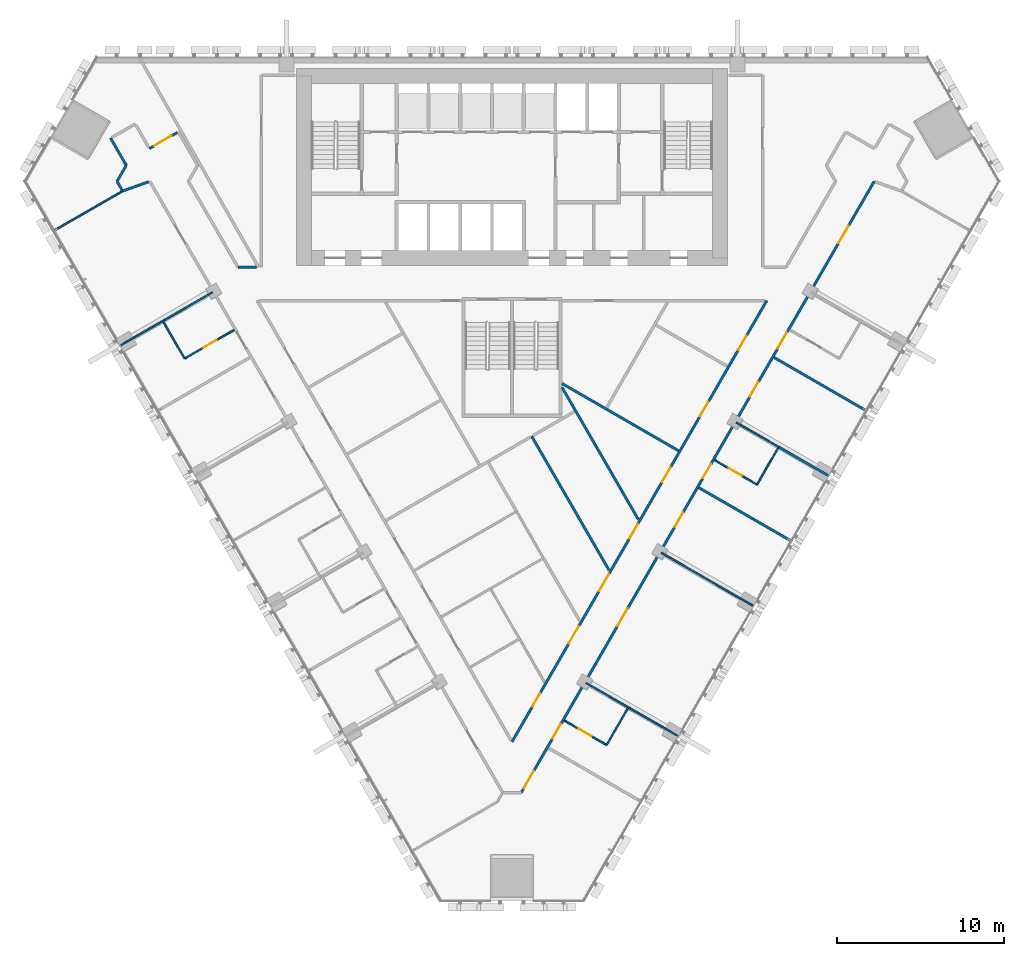
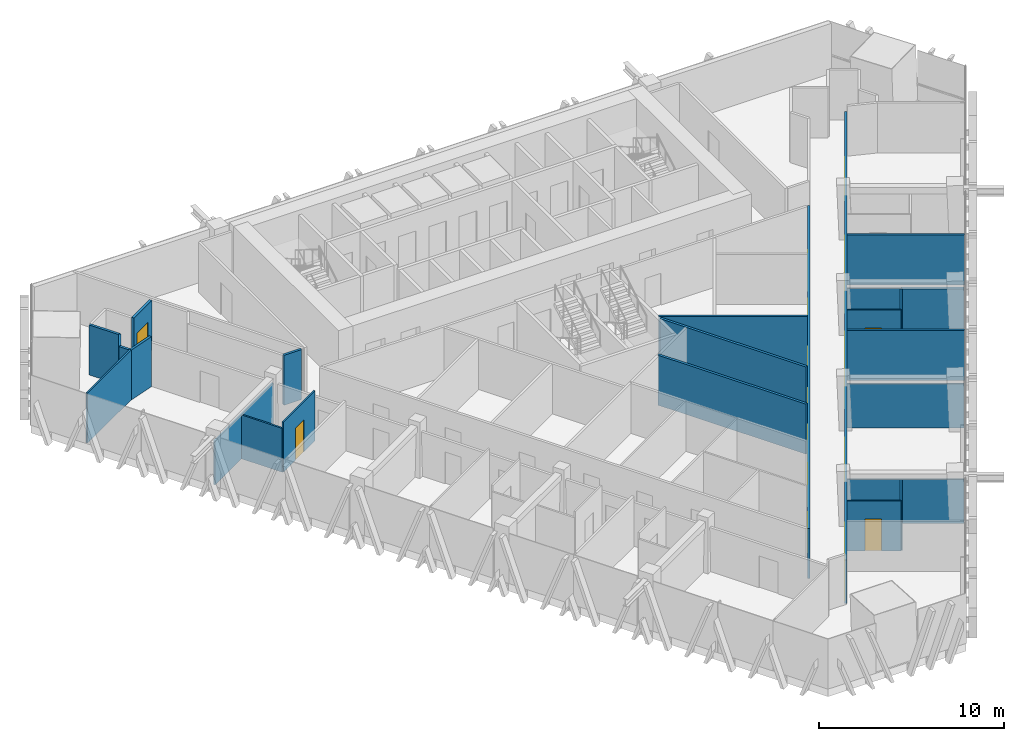
# One storey, part 9 of 15: 25 walls, 19 doors, 19 openings.
"""IFC4 building model written with IfcOpenShell, lengths in metres."""

from ifc_helpers import new_model, si_unit, direction, frame, frame_2d, origin, place, context, subcontext, project, spatial, rectangle, extrude, material, layer, layer_set, type_object, element, fill, save


model = new_model("IFC4")

# Units and contexts
model_context = context("Model", 3, precision=1e-05, world=origin(), true_north=direction((0.0, 1.0)))
body_context = subcontext(model_context, "Body", "Model", "MODEL_VIEW")
ifc_project = project(units=[si_unit("LENGTHUNIT", "METRE"), si_unit("AREAUNIT", "SQUARE_METRE"), si_unit("VOLUMEUNIT", "CUBIC_METRE"), si_unit("PLANEANGLEUNIT", "RADIAN"), si_unit("MASSUNIT", "GRAM", prefix="KILO")], contexts=[model_context])

# Site, building, storey
site_placement = place(None, origin())
site = spatial("IfcSite", under=ifc_project, at=site_placement, CompositionType="ELEMENT")
building_placement = place(site_placement, origin())
building = spatial("IfcBuilding", under=site, at=building_placement, Name="Altiplano Prism Tower", CompositionType="ELEMENT")
storey_placement = place(building_placement, frame((0.0, 0.0, 91.800048828125)))
storey = spatial("IfcBuildingStorey", under=building, at=storey_placement, Name="L23", CompositionType="ELEMENT", Elevation=91.800048828125)

# Wall, opening, door
ifc_material_1 = material(Name="Plasterboard on steel stud", Category="steel")
ifc_layer_1 = layer(ifc_material_1, 0.10009765625)
ifc_layer_set_1 = layer_set([ifc_layer_1], Name="Plasterboard on steel stud")
wall_type_1 = type_object("IfcWallType", Name="Partition 100 unit", PredefinedType="PARTITIONING", material=ifc_layer_set_1)
wall_1_placement = place(storey_placement, frame((68.367431640625, 88.64599609375, 0.0), z_axis=(0.0, 0.0, 1.0), x_axis=(-0.866032454348, -0.499987787867, 0.0)))
wall_1 = element("IfcWall", 1, at=wall_1_placement, inside=storey, type_object=wall_type_1, Name="Partition P02 L23 043", PredefinedType="PARTITIONING", context=body_context, shape_type="SweptSolid", body=[
    extrude(rectangle(XDim=3.4248046875, YDim=0.10009765625, at=frame_2d((1.71240234375, 0.0))), origin(), (0.0, 0.0, 1.0), 3.300048828125),
])
opening_1_placement = place(wall_1_placement, frame((1.22509765625, 0.0, 0.0)))
opening_1 = element("IfcOpeningElement", 2, at=opening_1_placement, cuts=wall_1, Name="Opening D0854", PredefinedType="OPENING", context=body_context, shape_type="SweptSolid", body=[
    extrude(rectangle(XDim=0.89990234375, YDim=2.10009765625, at=frame_2d((0.449951171875, 1.050048828125))), frame((0.0, 0.060546875, 0.0), z_axis=(0.0, -1.0, 0.0), x_axis=(1.0, 0.0, 0.0)), (0.0, 0.0, 1.0), 0.12109375),
])
ifc_material_2 = material(Name="Timber", Category="wood")
door_type_1 = type_object("IfcDoorType", Name="Accessible ensuite door 900 x 2100", OperationType="NOTDEFINED", PredefinedType="NOTDEFINED", material=ifc_material_2)
door_1_placement = place(opening_1_placement, origin())
door_1 = element("IfcDoor", 3, at=door_1_placement, inside=storey, type_object=door_type_1, Name="Door D0854", OperationType="SINGLE_SWING_RIGHT", OverallHeight=2.10009765625, OverallWidth=0.89990234375, PredefinedType="NOTDEFINED", context=body_context, shape_type="SweptSolid", body=[
    extrude(rectangle(XDim=0.89990234375, YDim=2.10009765625, at=frame_2d((0.449951171875, 1.050048828125))), frame((0.0, 0.02490234375, 0.0), z_axis=(0.0, -1.0, 0.0), x_axis=(1.0, 0.0, 0.0)), (0.0, 0.0, 1.0), 0.050048828125),
])
fill(opening_1, door_1)

# Walls
wall_2_placement = place(storey_placement, frame((65.4013671875, 86.93359375, 0.0), z_axis=(0.0, 0.0, 1.0), x_axis=(-0.499990435942, 0.866030925526, 0.0)))
element("IfcWall", 4, at=wall_2_placement, inside=storey, type_object=wall_type_1, Name="Partition P02 L23 044", PredefinedType="PARTITIONING", context=body_context, shape_type="SweptSolid", body=[
    extrude(rectangle(XDim=2.5498046875, YDim=0.10009765625, at=frame_2d((1.27490234375, 0.0))), origin(), (0.0, 0.0, 1.0), 2.89990234375),
])
wall_3_placement = place(storey_placement, frame((91.940673828125, 66.00927734375, 0.0), z_axis=(0.0, 0.0, 1.0), x_axis=(-0.500020783669, -0.866013403995, 0.0)))
element("IfcWall", 5, at=wall_3_placement, inside=storey, type_object=wall_type_1, Name="Partition P02 L23 061", PredefinedType="PARTITIONING", context=body_context, shape_type="SweptSolid", body=[
    extrude(rectangle(XDim=2.55029296875, YDim=0.10009765625, at=frame_2d((1.275146484375, 0.0))), origin(), (0.0, 0.0, 1.0), 2.89990234375),
])

# Wall, opening, door
wall_4_placement = place(storey_placement, frame((90.66552734375, 63.80078125, 0.0), z_axis=(0.0, 0.0, 1.0), x_axis=(-0.865989585315, 0.500062034277, 0.0)))
wall_4 = element("IfcWall", 6, at=wall_4_placement, inside=storey, type_object=wall_type_1, Name="Partition P02 L23 062", PredefinedType="PARTITIONING", context=body_context, shape_type="SweptSolid", body=[
    extrude(rectangle(XDim=2.925048828125, YDim=0.10009765625, at=frame_2d((1.46240234375, 0.0))), origin(), (0.0, 0.0, 1.0), 3.300048828125),
])
opening_2_placement = place(wall_4_placement, frame((1.050048828125, 0.0, 0.0)))
opening_2 = element("IfcOpeningElement", 7, at=opening_2_placement, cuts=wall_4, Name="Opening D0866", PredefinedType="OPENING", context=body_context, shape_type="SweptSolid", body=[
    extrude(rectangle(XDim=0.89990234375, YDim=2.10009765625, at=frame_2d((0.449951171875, 1.050048828125))), frame((0.0, 0.060546875, 0.0), z_axis=(0.0, -1.0, 0.0), x_axis=(1.0, 0.0, 0.0)), (0.0, 0.0, 1.0), 0.12109375),
])
door_type_2 = type_object("IfcDoorType", Name="Ensuite door 900 x 2100", OperationType="NOTDEFINED", PredefinedType="NOTDEFINED", material=ifc_material_2)
door_2_placement = place(opening_2_placement, origin())
door_2 = element("IfcDoor", 8, at=door_2_placement, inside=storey, type_object=door_type_2, Name="Door D0866", OperationType="SINGLE_SWING_RIGHT", OverallHeight=2.10009765625, OverallWidth=0.89990234375, PredefinedType="NOTDEFINED", context=body_context, shape_type="SweptSolid", body=[
    extrude(rectangle(XDim=0.89990234375, YDim=2.10009765625, at=frame_2d((0.449951171875, 1.050048828125))), frame((0.0, 0.02490234375, 0.0), z_axis=(0.0, -1.0, 0.0), x_axis=(1.0, 0.0, 0.0)), (0.0, 0.0, 1.0), 0.050048828125),
])
fill(opening_2, door_2)

# Wall
wall_5_placement = place(storey_placement, frame((100.92822265625, 81.575927734375, 0.0), z_axis=(0.0, 0.0, 1.0), x_axis=(-0.500048846702, -0.865997200291, 0.0)))
element("IfcWall", 9, at=wall_5_placement, inside=storey, type_object=wall_type_1, Name="Partition P02 L23 066", PredefinedType="PARTITIONING", context=body_context, shape_type="SweptSolid", body=[
    extrude(rectangle(XDim=2.525146484375, YDim=0.10009765625, at=frame_2d((1.2626953125, 0.0))), origin(), (0.0, 0.0, 1.0), 2.89990234375),
])

# Wall, opening, door
wall_6_placement = place(storey_placement, frame((99.66552734375, 79.38916015625, 0.0), z_axis=(0.0, 0.0, 1.0), x_axis=(-0.865989585315, 0.500062034277, 0.0)))
wall_6 = element("IfcWall", 10, at=wall_6_placement, inside=storey, type_object=wall_type_1, Name="Partition P02 L23 067", PredefinedType="PARTITIONING", context=body_context, shape_type="SweptSolid", body=[
    extrude(rectangle(XDim=2.925048828125, YDim=0.10009765625, at=frame_2d((1.46240234375, 0.0))), origin(), (0.0, 0.0, 1.0), 3.300048828125),
])
opening_3_placement = place(wall_6_placement, frame((1.050048828125, 0.0, 0.0)))
opening_3 = element("IfcOpeningElement", 11, at=opening_3_placement, cuts=wall_6, Name="Opening D0870", PredefinedType="OPENING", context=body_context, shape_type="SweptSolid", body=[
    extrude(rectangle(XDim=0.89990234375, YDim=2.10009765625, at=frame_2d((0.449951171875, 1.050048828125))), frame((0.0, 0.060546875, 0.0), z_axis=(0.0, -1.0, 0.0), x_axis=(1.0, 0.0, 0.0)), (0.0, 0.0, 1.0), 0.12109375),
])
door_3_placement = place(opening_3_placement, origin())
door_3 = element("IfcDoor", 12, at=door_3_placement, inside=storey, type_object=door_type_2, Name="Door D0870", OperationType="SINGLE_SWING_RIGHT", OverallHeight=2.10009765625, OverallWidth=0.89990234375, PredefinedType="NOTDEFINED", context=body_context, shape_type="SweptSolid", body=[
    extrude(rectangle(XDim=0.89990234375, YDim=2.10009765625, at=frame_2d((0.449951171875, 1.050048828125))), frame((0.0, 0.02490234375, 0.0), z_axis=(0.0, -1.0, 0.0), x_axis=(1.0, 0.0, 0.0)), (0.0, 0.0, 1.0), 0.050048828125),
])
fill(opening_3, door_3)

# Walls
ifc_layer_2 = layer(ifc_material_1, 0.10009765625)
ifc_layer_set_2 = layer_set([ifc_layer_2], Name="Plasterboard on steel stud")
wall_type_2 = type_object("IfcWallType", Name="Partition 100 wet", PredefinedType="PARTITIONING", material=ifc_layer_set_2)
wall_7_placement = place(storey_placement, frame((57.6025390625, 94.600830078125, 0.0), z_axis=(0.0, 0.0, 1.0), x_axis=(0.866028828302, 0.499994068514, 0.0)))
element("IfcWall", 13, at=wall_7_placement, inside=storey, type_object=wall_type_2, Name="Partition P03 L23 040", PredefinedType="PARTITIONING", context=body_context, shape_type="SweptSolid", body=[
    extrude(rectangle(XDim=4.72021484375, YDim=0.10009765625, at=frame_2d((2.360107421875, 0.0))), origin(), (0.0, 0.0, 1.0), 3.300048828125),
])
for number, where, z_axis, x_axis, name in (
    (14, (61.58984375, 87.735107421875, 0.0), (0.0, 0.0, 1.0), (0.866015887322, 0.500016482634, 0.0), "Partition P03 L23 042"),
    (15, (94.91015625, 64.3525390625, 0.0), (0.0, 0.0, 1.0), (-0.866032601554, 0.49998753289, 0.0), "Partition P03 L23 063"),
    (16, (99.41015625, 72.146728515625, 0.0), (0.0, 0.0, 1.0), (-0.866032601554, 0.49998753289, 0.0), "Partition P03 L23 064"),
):
    element("IfcWall", number, at=place(storey_placement, frame(where, z_axis=z_axis, x_axis=x_axis)), inside=storey, type_object=wall_type_2, Name=name, PredefinedType="PARTITIONING", context=body_context, shape_type="SweptSolid", body=[
        extrude(rectangle(XDim=6.324951171875, YDim=0.10009765625, at=frame_2d((3.16259765625, 0.0))), origin(), (0.0, 0.0, 1.0), 2.89990234375),
    ])
wall_8_placement = place(storey_placement, frame((100.98291015625, 81.630859375, 0.0), z_axis=(0.0, 0.0, 1.0), x_axis=(-0.865989536871, 0.50006211817, 0.0)))
element("IfcWall", 17, at=wall_8_placement, inside=storey, type_object=wall_type_2, Name="Partition P03 L23 069", PredefinedType="PARTITIONING", context=body_context, shape_type="SweptSolid", body=[
    extrude(rectangle(XDim=2.945068359375, YDim=0.10009765625, at=frame_2d((1.47265625, 0.0))), origin(), (0.0, 0.0, 1.0), 2.89990234375),
])

# Wall, openings, doors
ifc_layer_3 = layer(ifc_material_1, 0.14990234375)
ifc_layer_set_3 = layer_set([ifc_layer_3], Name="Plasterboard on steel stud")
wall_type_3 = type_object("IfcWallType", Name="Partition 150 corridor", PredefinedType="PARTITIONING", material=ifc_layer_set_3)
wall_9_placement = place(storey_placement, frame((100.249267578125, 90.39990234375, 0.0), z_axis=(0.0, 0.0, 1.0), x_axis=(-0.500002168127, -0.866024152012, 0.0)))
wall_9 = element("IfcWall", 18, at=wall_9_placement, inside=storey, type_object=wall_type_3, Name="Partition P06 L23 002", PredefinedType="PARTITIONING", context=body_context, shape_type="SweptSolid", body=[
    extrude(rectangle(XDim=30.498291015625, YDim=0.14990234375, at=frame_2d((15.2490234375, 0.0))), origin(), (0.0, 0.0, 1.0), 3.300048828125),
])
opening_4_placement = place(wall_9_placement, frame((27.156982421875, 0.0, 0.0)))
opening_4 = element("IfcOpeningElement", 19, at=opening_4_placement, cuts=wall_9, Name="Opening D0848", PredefinedType="OPENING", context=body_context, shape_type="SweptSolid", body=[
    extrude(rectangle(XDim=0.89990234375, YDim=2.10009765625, at=frame_2d((0.449951171875, 1.050048828125))), frame((0.0, 0.08544921875, 0.0), z_axis=(0.0, -1.0, 0.0), x_axis=(1.0, 0.0, 0.0)), (0.0, 0.0, 1.0), 0.1708984375),
])
opening_5_placement = place(wall_9_placement, frame((2.412109375, 0.0, 0.0)))
opening_5 = element("IfcOpeningElement", 20, at=opening_5_placement, cuts=wall_9, Name="Opening D0849", PredefinedType="OPENING", context=body_context, shape_type="SweptSolid", body=[
    extrude(rectangle(XDim=1.0, YDim=2.10009765625, at=frame_2d((0.5, 1.050048828125))), frame((0.0, 0.08544921875, 0.0), z_axis=(0.0, -1.0, 0.0), x_axis=(1.0, 0.0, 0.0)), (0.0, 0.0, 1.0), 0.1708984375),
])
opening_6_placement = place(wall_9_placement, frame((11.532958984375, 0.0, 0.0)))
opening_6 = element("IfcOpeningElement", 21, at=opening_6_placement, cuts=wall_9, Name="Opening D0850", PredefinedType="OPENING", context=body_context, shape_type="SweptSolid", body=[
    extrude(rectangle(XDim=1.0, YDim=2.10009765625, at=frame_2d((0.5, 1.050048828125))), frame((0.0, 0.08544921875, 0.0), z_axis=(0.0, -1.0, 0.0), x_axis=(1.0, 0.0, 0.0)), (0.0, 0.0, 1.0), 0.1708984375),
])
opening_7_placement = place(wall_9_placement, frame((18.889892578125, 0.0, 0.0)))
opening_7 = element("IfcOpeningElement", 22, at=opening_7_placement, cuts=wall_9, Name="Opening D0877", PredefinedType="OPENING", context=body_context, shape_type="SweptSolid", body=[
    extrude(rectangle(XDim=1.199951171875, YDim=2.10009765625, at=frame_2d((0.60009765625, 1.050048828125))), frame((0.0, 0.08544921875, 0.0), z_axis=(0.0, -1.0, 0.0), x_axis=(1.0, 0.0, 0.0)), (0.0, 0.0, 1.0), 0.1708984375),
])
opening_8_placement = place(wall_9_placement, frame((7.0029296875, 0.0, 0.0)))
opening_8 = element("IfcOpeningElement", 23, at=opening_8_placement, cuts=wall_9, Name="Opening D0880", PredefinedType="OPENING", context=body_context, shape_type="SweptSolid", body=[
    extrude(rectangle(XDim=1.0, YDim=2.10009765625, at=frame_2d((0.5, 1.050048828125))), frame((0.0, 0.08544921875, 0.0), z_axis=(0.0, -1.0, 0.0), x_axis=(1.0, 0.0, 0.0)), (0.0, 0.0, 1.0), 0.1708984375),
])
opening_9_placement = place(wall_9_placement, frame((15.429931640625, 0.0, 0.0)))
opening_9 = element("IfcOpeningElement", 24, at=opening_9_placement, cuts=wall_9, Name="Opening D0884", PredefinedType="OPENING", context=body_context, shape_type="SweptSolid", body=[
    extrude(rectangle(XDim=1.0, YDim=2.10009765625, at=frame_2d((0.5, 1.050048828125))), frame((0.0, 0.08544921875, 0.0), z_axis=(0.0, -1.0, 0.0), x_axis=(1.0, 0.0, 0.0)), (0.0, 0.0, 1.0), 0.1708984375),
])
opening_10_placement = place(wall_9_placement, frame((22.511962890625, 0.0, 0.0)))
opening_10 = element("IfcOpeningElement", 25, at=opening_10_placement, cuts=wall_9, Name="Opening D0887", PredefinedType="OPENING", context=body_context, shape_type="SweptSolid", body=[
    extrude(rectangle(XDim=1.199951171875, YDim=2.10009765625, at=frame_2d((0.60009765625, 1.050048828125))), frame((0.0, 0.08544921875, 0.0), z_axis=(0.0, -1.0, 0.0), x_axis=(1.0, 0.0, 0.0)), (0.0, 0.0, 1.0), 0.1708984375),
])
door_type_3 = type_object("IfcDoorType", Name="Room door 1000 x 2100", OperationType="NOTDEFINED", PredefinedType="NOTDEFINED", material=ifc_material_2)
door_4_placement = place(opening_9_placement, origin())
door_4 = element("IfcDoor", 26, at=door_4_placement, inside=storey, type_object=door_type_3, Name="Door D0884", OperationType="SINGLE_SWING_RIGHT", OverallHeight=2.10009765625, OverallWidth=1.0, PredefinedType="NOTDEFINED", context=body_context, shape_type="SweptSolid", body=[
    extrude(rectangle(XDim=1.0, YDim=2.10009765625, at=frame_2d((0.5, 1.050048828125))), frame((0.0, 0.02490234375, 0.0), z_axis=(0.0, -1.0, 0.0), x_axis=(1.0, 0.0, 0.0)), (0.0, 0.0, 1.0), 0.050048828125),
])
fill(opening_9, door_4)
door_type_4 = type_object("IfcDoorType", Name="Shared room door 1200 x 2100", OperationType="NOTDEFINED", PredefinedType="NOTDEFINED", material=ifc_material_2)
door_5_placement = place(opening_7_placement, origin())
door_5 = element("IfcDoor", 27, at=door_5_placement, inside=storey, type_object=door_type_4, Name="Door D0877", OperationType="SINGLE_SWING_LEFT", OverallHeight=2.10009765625, OverallWidth=1.199951171875, PredefinedType="NOTDEFINED", context=body_context, shape_type="SweptSolid", body=[
    extrude(rectangle(XDim=1.199951171875, YDim=2.10009765625, at=frame_2d((0.60009765625, 1.050048828125))), frame((0.0, 0.02490234375, 0.0), z_axis=(0.0, -1.0, 0.0), x_axis=(1.0, 0.0, 0.0)), (0.0, 0.0, 1.0), 0.050048828125),
])
fill(opening_7, door_5)
door_6_placement = place(opening_10_placement, origin())
door_6 = element("IfcDoor", 28, at=door_6_placement, inside=storey, type_object=door_type_4, Name="Door D0887", OperationType="SINGLE_SWING_RIGHT", OverallHeight=2.10009765625, OverallWidth=1.199951171875, PredefinedType="NOTDEFINED", context=body_context, shape_type="SweptSolid", body=[
    extrude(rectangle(XDim=1.199951171875, YDim=2.10009765625, at=frame_2d((0.60009765625, 1.050048828125))), frame((0.0, 0.02490234375, 0.0), z_axis=(0.0, -1.0, 0.0), x_axis=(1.0, 0.0, 0.0)), (0.0, 0.0, 1.0), 0.050048828125),
])
fill(opening_10, door_6)
door_type_5 = type_object("IfcDoorType", Name="Store door 1000 x 2100", OperationType="NOTDEFINED", PredefinedType="NOTDEFINED", material=ifc_material_2)
door_7_placement = place(opening_5_placement, origin())
door_7 = element("IfcDoor", 29, at=door_7_placement, inside=storey, type_object=door_type_5, Name="Door D0849", OperationType="SINGLE_SWING_LEFT", OverallHeight=2.10009765625, OverallWidth=1.0, PredefinedType="NOTDEFINED", context=body_context, shape_type="SweptSolid", body=[
    extrude(rectangle(XDim=1.0, YDim=2.10009765625, at=frame_2d((0.5, 1.050048828125))), frame((0.0, 0.02490234375, 0.0), z_axis=(0.0, -1.0, 0.0), x_axis=(1.0, 0.0, 0.0)), (0.0, 0.0, 1.0), 0.050048828125),
])
fill(opening_5, door_7)
door_8_placement = place(opening_6_placement, origin())
door_8 = element("IfcDoor", 30, at=door_8_placement, inside=storey, type_object=door_type_5, Name="Door D0850", OperationType="SINGLE_SWING_RIGHT", OverallHeight=2.10009765625, OverallWidth=1.0, PredefinedType="NOTDEFINED", context=body_context, shape_type="SweptSolid", body=[
    extrude(rectangle(XDim=1.0, YDim=2.10009765625, at=frame_2d((0.5, 1.050048828125))), frame((0.0, 0.02490234375, 0.0), z_axis=(0.0, -1.0, 0.0), x_axis=(1.0, 0.0, 0.0)), (0.0, 0.0, 1.0), 0.050048828125),
])
fill(opening_6, door_8)
door_9_placement = place(opening_8_placement, origin())
door_9 = element("IfcDoor", 31, at=door_9_placement, inside=storey, type_object=door_type_5, Name="Door D0880", OperationType="SINGLE_SWING_RIGHT", OverallHeight=2.10009765625, OverallWidth=1.0, PredefinedType="NOTDEFINED", context=body_context, shape_type="SweptSolid", body=[
    extrude(rectangle(XDim=1.0, YDim=2.10009765625, at=frame_2d((0.5, 1.050048828125))), frame((0.0, 0.02490234375, 0.0), z_axis=(0.0, -1.0, 0.0), x_axis=(1.0, 0.0, 0.0)), (0.0, 0.0, 1.0), 0.050048828125),
])
fill(opening_8, door_9)
door_type_6 = type_object("IfcDoorType", Name="Toilet door 900 x 2100", OperationType="NOTDEFINED", PredefinedType="NOTDEFINED", material=ifc_material_2)
door_10_placement = place(opening_4_placement, origin())
door_10 = element("IfcDoor", 32, at=door_10_placement, inside=storey, type_object=door_type_6, Name="Door D0848", OperationType="SINGLE_SWING_RIGHT", OverallHeight=2.10009765625, OverallWidth=0.89990234375, PredefinedType="NOTDEFINED", context=body_context, shape_type="SweptSolid", body=[
    extrude(rectangle(XDim=0.89990234375, YDim=2.10009765625, at=frame_2d((0.449951171875, 1.050048828125))), frame((0.0, 0.02490234375, 0.0), z_axis=(0.0, -1.0, 0.0), x_axis=(1.0, 0.0, 0.0)), (0.0, 0.0, 1.0), 0.050048828125),
])
fill(opening_4, door_10)

# Wall
wall_10_placement = place(storey_placement, frame((69.700439453125, 92.40087890625, 0.0), z_axis=(0.0, 0.0, 1.0), x_axis=(-0.999999608946, -0.000884368436, 0.0)))
element("IfcWall", 33, at=wall_10_placement, inside=storey, type_object=wall_type_3, Name="Partition P06 L23 003", PredefinedType="PARTITIONING", context=body_context, shape_type="SweptSolid", body=[
    extrude(rectangle(XDim=1.104248046875, YDim=0.14990234375, at=frame_2d((0.55224609375, 0.0))), origin(), (0.0, 0.0, 1.0), 3.300048828125),
])

# Wall, opening, door
wall_11_placement = place(storey_placement, frame((64.963623046875, 100.46240234375, 0.0), z_axis=(0.0, 0.0, 1.0), x_axis=(-0.866033512162, -0.499985955615, 0.0)))
wall_11 = element("IfcWall", 34, at=wall_11_placement, inside=storey, type_object=wall_type_3, Name="Partition P06 L23 007", PredefinedType="PARTITIONING", context=body_context, shape_type="SweptSolid", body=[
    extrude(rectangle(XDim=1.9248046875, YDim=0.14990234375, at=frame_2d((0.96240234375, 0.0))), origin(), (0.0, 0.0, 1.0), 3.300048828125),
])
opening_11_placement = place(wall_11_placement, frame((0.39404296875, 0.0, 0.0)))
opening_11 = element("IfcOpeningElement", 35, at=opening_11_placement, cuts=wall_11, Name="Opening D0851", PredefinedType="OPENING", context=body_context, shape_type="SweptSolid", body=[
    extrude(rectangle(XDim=1.199951171875, YDim=2.10009765625, at=frame_2d((0.60009765625, 1.050048828125))), frame((0.0, 0.08544921875, 0.0), z_axis=(0.0, -1.0, 0.0), x_axis=(1.0, 0.0, 0.0)), (0.0, 0.0, 1.0), 0.1708984375),
])
door_11_placement = place(opening_11_placement, origin())
door_11 = element("IfcDoor", 36, at=door_11_placement, inside=storey, type_object=door_type_4, Name="Door D0851", OperationType="SINGLE_SWING_RIGHT", OverallHeight=2.10009765625, OverallWidth=1.199951171875, PredefinedType="NOTDEFINED", context=body_context, shape_type="SweptSolid", body=[
    extrude(rectangle(XDim=1.199951171875, YDim=2.10009765625, at=frame_2d((0.60009765625, 1.050048828125))), frame((0.0, 0.02490234375, 0.0), z_axis=(0.0, -1.0, 0.0), x_axis=(1.0, 0.0, 0.0)), (0.0, 0.0, 1.0), 0.050048828125),
])
fill(opening_11, door_11)

# Walls
wall_12_placement = place(storey_placement, frame((60.974365234375, 100.122314453125, 0.0), z_axis=(0.0, 0.0, 1.0), x_axis=(0.499951854219, -0.86605319898, 0.0)))
element("IfcWall", 37, at=wall_12_placement, inside=storey, type_object=wall_type_3, Name="Partition P06 L23 010", PredefinedType="PARTITIONING", context=body_context, shape_type="SweptSolid", body=[
    extrude(rectangle(XDim=1.873291015625, YDim=0.14990234375, at=frame_2d((0.9365234375, 0.0))), origin(), (0.0, 0.0, 1.0), 3.300048828125),
])
wall_13_placement = place(storey_placement, frame((61.910888671875, 98.5, 0.0), z_axis=(0.0, 0.0, 1.0), x_axis=(-0.499951133605, -0.866053614973, 0.0)))
element("IfcWall", 38, at=wall_13_placement, inside=storey, type_object=wall_type_3, Name="Partition P06 L23 011", PredefinedType="PARTITIONING", context=body_context, shape_type="SweptSolid", body=[
    extrude(rectangle(XDim=1.10888671875, YDim=0.14990234375, at=frame_2d((0.554443359375, 0.0))), origin(), (0.0, 0.0, 1.0), 3.300048828125),
])
wall_14_placement = place(storey_placement, frame((61.3564453125, 97.53955078125, 0.0), z_axis=(0.0, 0.0, 1.0), x_axis=(0.499983247966, -0.86603507536, 0.0)))
element("IfcWall", 39, at=wall_14_placement, inside=storey, type_object=wall_type_3, Name="Partition P06 L23 012", PredefinedType="PARTITIONING", context=body_context, shape_type="SweptSolid", body=[
    extrude(rectangle(XDim=0.59423828125, YDim=0.14990234375, at=frame_2d((0.297119140625, 0.0))), origin(), (0.0, 0.0, 1.0), 3.300048828125),
])
wall_15_placement = place(storey_placement, frame((61.6904296875, 96.9609375, 0.0), z_axis=(0.0, 0.0, 1.0), x_axis=(0.942304690634, 0.334756433858, 0.0)))
element("IfcWall", 40, at=wall_15_placement, inside=storey, type_object=wall_type_3, Name="Partition P06 L23 013", PredefinedType="PARTITIONING", context=body_context, shape_type="SweptSolid", body=[
    extrude(rectangle(XDim=1.65478515625, YDim=0.14990234375, at=frame_2d((0.827392578125, 0.0))), origin(), (0.0, 0.0, 1.0), 3.300048828125),
])

# Wall, openings, doors
wall_16_placement = place(storey_placement, frame((85.554443359375, 60.947998046875, 0.0), z_axis=(0.0, 0.0, 1.0), x_axis=(0.500001382442, 0.86602460563, 0.0)))
wall_16 = element("IfcWall", 41, at=wall_16_placement, inside=storey, type_object=wall_type_3, Name="Partition P06 L23 016", PredefinedType="PARTITIONING", context=body_context, shape_type="SweptSolid", body=[
    extrude(rectangle(XDim=42.25244140625, YDim=0.14990234375, at=frame_2d((21.126220703125, 0.0))), origin(), (0.0, 0.0, 1.0), 2.89990234375),
])
opening_12_placement = place(wall_16_placement, frame((0.284912109375, 0.0, 0.0)))
opening_12 = element("IfcOpeningElement", 42, at=opening_12_placement, cuts=wall_16, Name="Opening D0864", PredefinedType="OPENING", context=body_context, shape_type="SweptSolid", body=[
    extrude(rectangle(XDim=1.199951171875, YDim=2.10009765625, at=frame_2d((0.60009765625, 1.050048828125))), frame((0.0, 0.08544921875, 0.0), z_axis=(0.0, -1.0, 0.0), x_axis=(1.0, 0.0, 0.0)), (0.0, 0.0, 1.0), 0.1708984375),
])
opening_13_placement = place(wall_16_placement, frame((3.73095703125, 0.0, 0.0)))
opening_13 = element("IfcOpeningElement", 43, at=opening_13_placement, cuts=wall_16, Name="Opening D0865", PredefinedType="OPENING", context=body_context, shape_type="SweptSolid", body=[
    extrude(rectangle(XDim=1.0, YDim=2.10009765625, at=frame_2d((0.5, 1.050048828125))), frame((0.0, 0.08544921875, 0.0), z_axis=(0.0, -1.0, 0.0), x_axis=(1.0, 0.0, 0.0)), (0.0, 0.0, 1.0), 0.1708984375),
])
opening_14_placement = place(wall_16_placement, frame((11.52587890625, 0.0, 0.0)))
opening_14 = element("IfcOpeningElement", 44, at=opening_14_placement, cuts=wall_16, Name="Opening D0867", PredefinedType="OPENING", context=body_context, shape_type="SweptSolid", body=[
    extrude(rectangle(XDim=1.199951171875, YDim=2.10009765625, at=frame_2d((0.60009765625, 1.050048828125))), frame((0.0, 0.08544921875, 0.0), z_axis=(0.0, -1.0, 0.0), x_axis=(1.0, 0.0, 0.0)), (0.0, 0.0, 1.0), 0.1708984375),
])
opening_15_placement = place(wall_16_placement, frame((18.3759765625, 0.0, 0.0)))
opening_15 = element("IfcOpeningElement", 45, at=opening_15_placement, cuts=wall_16, Name="Opening D0868", PredefinedType="OPENING", context=body_context, shape_type="SweptSolid", body=[
    extrude(rectangle(XDim=1.0, YDim=2.10009765625, at=frame_2d((0.5, 1.050048828125))), frame((0.0, 0.08544921875, 0.0), z_axis=(0.0, -1.0, 0.0), x_axis=(1.0, 0.0, 0.0)), (0.0, 0.0, 1.0), 0.1708984375),
])
opening_16_placement = place(wall_16_placement, frame((21.73095703125, 0.0, 0.0)))
opening_16 = element("IfcOpeningElement", 46, at=opening_16_placement, cuts=wall_16, Name="Opening D0869", PredefinedType="OPENING", context=body_context, shape_type="SweptSolid", body=[
    extrude(rectangle(XDim=1.0, YDim=2.10009765625, at=frame_2d((0.5, 1.050048828125))), frame((0.0, 0.08544921875, 0.0), z_axis=(0.0, -1.0, 0.0), x_axis=(1.0, 0.0, 0.0)), (0.0, 0.0, 1.0), 0.1708984375),
])
opening_17_placement = place(wall_16_placement, frame((27.3759765625, 0.0, 0.0)))
opening_17 = element("IfcOpeningElement", 47, at=opening_17_placement, cuts=wall_16, Name="Opening D0871", PredefinedType="OPENING", context=body_context, shape_type="SweptSolid", body=[
    extrude(rectangle(XDim=1.0, YDim=2.10009765625, at=frame_2d((0.5, 1.050048828125))), frame((0.0, 0.08544921875, 0.0), z_axis=(0.0, -1.0, 0.0), x_axis=(1.0, 0.0, 0.0)), (0.0, 0.0, 1.0), 0.1708984375),
])
opening_18_placement = place(wall_16_placement, frame((30.697021484375, 0.0, 0.0)))
opening_18 = element("IfcOpeningElement", 48, at=opening_18_placement, cuts=wall_16, Name="Opening D0872", PredefinedType="OPENING", context=body_context, shape_type="SweptSolid", body=[
    extrude(rectangle(XDim=1.10009765625, YDim=2.10009765625, at=frame_2d((0.550048828125, 1.050048828125))), frame((0.0, 0.08544921875, 0.0), z_axis=(0.0, -1.0, 0.0), x_axis=(1.0, 0.0, 0.0)), (0.0, 0.0, 1.0), 0.1708984375),
])
opening_19_placement = place(wall_16_placement, frame((37.97607421875, 0.0, 0.0)))
opening_19 = element("IfcOpeningElement", 49, at=opening_19_placement, cuts=wall_16, Name="Opening D0874", PredefinedType="OPENING", context=body_context, shape_type="SweptSolid", body=[
    extrude(rectangle(XDim=1.199951171875, YDim=2.10009765625, at=frame_2d((0.60009765625, 1.050048828125))), frame((0.0, 0.08544921875, 0.0), z_axis=(0.0, -1.0, 0.0), x_axis=(1.0, 0.0, 0.0)), (0.0, 0.0, 1.0), 0.1708984375),
])
door_type_7 = type_object("IfcDoorType", Name="Accessible bedroom door 1100 x 2100", OperationType="NOTDEFINED", PredefinedType="NOTDEFINED", material=ifc_material_2)
door_12_placement = place(opening_18_placement, origin())
door_12 = element("IfcDoor", 50, at=door_12_placement, inside=storey, type_object=door_type_7, Name="Door D0872", OperationType="SINGLE_SWING_RIGHT", OverallHeight=2.10009765625, OverallWidth=1.10009765625, PredefinedType="NOTDEFINED", context=body_context, shape_type="SweptSolid", body=[
    extrude(rectangle(XDim=1.10009765625, YDim=2.10009765625, at=frame_2d((0.550048828125, 1.050048828125))), frame((0.0, 0.02490234375, 0.0), z_axis=(0.0, -1.0, 0.0), x_axis=(1.0, 0.0, 0.0)), (0.0, 0.0, 1.0), 0.050048828125),
])
fill(opening_18, door_12)
door_type_8 = type_object("IfcDoorType", Name="Bedroom entrance door 1000 x 2100", OperationType="NOTDEFINED", PredefinedType="NOTDEFINED", material=ifc_material_2)
door_13_placement = place(opening_13_placement, origin())
door_13 = element("IfcDoor", 51, at=door_13_placement, inside=storey, type_object=door_type_8, Name="Door D0865", OperationType="SINGLE_SWING_LEFT", OverallHeight=2.10009765625, OverallWidth=1.0, PredefinedType="NOTDEFINED", context=body_context, shape_type="SweptSolid", body=[
    extrude(rectangle(XDim=1.0, YDim=2.10009765625, at=frame_2d((0.5, 1.050048828125))), frame((0.0, 0.02490234375, 0.0), z_axis=(0.0, -1.0, 0.0), x_axis=(1.0, 0.0, 0.0)), (0.0, 0.0, 1.0), 0.050048828125),
])
fill(opening_13, door_13)
door_14_placement = place(opening_16_placement, origin())
door_14 = element("IfcDoor", 52, at=door_14_placement, inside=storey, type_object=door_type_8, Name="Door D0869", OperationType="SINGLE_SWING_LEFT", OverallHeight=2.10009765625, OverallWidth=1.0, PredefinedType="NOTDEFINED", context=body_context, shape_type="SweptSolid", body=[
    extrude(rectangle(XDim=1.0, YDim=2.10009765625, at=frame_2d((0.5, 1.050048828125))), frame((0.0, 0.02490234375, 0.0), z_axis=(0.0, -1.0, 0.0), x_axis=(1.0, 0.0, 0.0)), (0.0, 0.0, 1.0), 0.050048828125),
])
fill(opening_16, door_14)
door_15_placement = place(opening_15_placement, origin())
door_15 = element("IfcDoor", 53, at=door_15_placement, inside=storey, type_object=door_type_3, Name="Door D0868", OperationType="SINGLE_SWING_LEFT", OverallHeight=2.10009765625, OverallWidth=1.0, PredefinedType="NOTDEFINED", context=body_context, shape_type="SweptSolid", body=[
    extrude(rectangle(XDim=1.0, YDim=2.10009765625, at=frame_2d((0.5, 1.050048828125))), frame((0.0, 0.02490234375, 0.0), z_axis=(0.0, -1.0, 0.0), x_axis=(1.0, 0.0, 0.0)), (0.0, 0.0, 1.0), 0.050048828125),
])
fill(opening_15, door_15)
door_16_placement = place(opening_17_placement, origin())
door_16 = element("IfcDoor", 54, at=door_16_placement, inside=storey, type_object=door_type_3, Name="Door D0871", OperationType="SINGLE_SWING_LEFT", OverallHeight=2.10009765625, OverallWidth=1.0, PredefinedType="NOTDEFINED", context=body_context, shape_type="SweptSolid", body=[
    extrude(rectangle(XDim=1.0, YDim=2.10009765625, at=frame_2d((0.5, 1.050048828125))), frame((0.0, 0.02490234375, 0.0), z_axis=(0.0, -1.0, 0.0), x_axis=(1.0, 0.0, 0.0)), (0.0, 0.0, 1.0), 0.050048828125),
])
fill(opening_17, door_16)
door_17_placement = place(opening_12_placement, origin())
door_17 = element("IfcDoor", 55, at=door_17_placement, inside=storey, type_object=door_type_4, Name="Door D0864", OperationType="SINGLE_SWING_LEFT", OverallHeight=2.10009765625, OverallWidth=1.199951171875, PredefinedType="NOTDEFINED", context=body_context, shape_type="SweptSolid", body=[
    extrude(rectangle(XDim=1.199951171875, YDim=2.10009765625, at=frame_2d((0.60009765625, 1.050048828125))), frame((0.0, 0.02490234375, 0.0), z_axis=(0.0, -1.0, 0.0), x_axis=(1.0, 0.0, 0.0)), (0.0, 0.0, 1.0), 0.050048828125),
])
fill(opening_12, door_17)
door_18_placement = place(opening_14_placement, origin())
door_18 = element("IfcDoor", 56, at=door_18_placement, inside=storey, type_object=door_type_4, Name="Door D0867", OperationType="SINGLE_SWING_RIGHT", OverallHeight=2.10009765625, OverallWidth=1.199951171875, PredefinedType="NOTDEFINED", context=body_context, shape_type="SweptSolid", body=[
    extrude(rectangle(XDim=1.199951171875, YDim=2.10009765625, at=frame_2d((0.60009765625, 1.050048828125))), frame((0.0, 0.02490234375, 0.0), z_axis=(0.0, -1.0, 0.0), x_axis=(1.0, 0.0, 0.0)), (0.0, 0.0, 1.0), 0.050048828125),
])
fill(opening_14, door_18)
door_19_placement = place(opening_19_placement, origin())
door_19 = element("IfcDoor", 57, at=door_19_placement, inside=storey, type_object=door_type_4, Name="Door D0874", OperationType="SINGLE_SWING_LEFT", OverallHeight=2.10009765625, OverallWidth=1.199951171875, PredefinedType="NOTDEFINED", context=body_context, shape_type="SweptSolid", body=[
    extrude(rectangle(XDim=1.199951171875, YDim=2.10009765625, at=frame_2d((0.60009765625, 1.050048828125))), frame((0.0, 0.02490234375, 0.0), z_axis=(0.0, -1.0, 0.0), x_axis=(1.0, 0.0, 0.0)), (0.0, 0.0, 1.0), 0.050048828125),
])
fill(opening_19, door_19)

# Walls
ifc_layer_4 = layer(ifc_material_1, 0.14990234375)
ifc_layer_set_4 = layer_set([ifc_layer_4], Name="Plasterboard on steel stud")
wall_type_4 = type_object("IfcWallType", Name="Partition 150 party", PredefinedType="PARTITIONING", material=ifc_layer_set_4)
wall_17_placement = place(storey_placement, frame((94.973388671875, 81.412109375, 0.0), z_axis=(0.0, 0.0, 1.0), x_axis=(-0.866023509796, 0.500003280469, 0.0)))
element("IfcWall", 58, at=wall_17_placement, inside=storey, type_object=wall_type_4, Name="Partition P01 L23 038", PredefinedType="PARTITIONING", context=body_context, shape_type="SweptSolid", body=[
    extrude(rectangle(XDim=8.05224609375, YDim=0.14990234375, at=frame_2d((4.026123046875, 0.0))), origin(), (0.0, 0.0, 1.0), 3.300048828125),
])
wall_18_placement = place(storey_placement, frame((88.0, 85.202880859375, 0.0), z_axis=(0.0, 0.0, 1.0), x_axis=(0.500000566121, -0.866025076934, 0.0)))
element("IfcWall", 59, at=wall_18_placement, inside=storey, type_object=wall_type_4, Name="Partition P01 L23 039", PredefinedType="PARTITIONING", context=body_context, shape_type="SweptSolid", body=[
    extrude(rectangle(XDim=9.11865234375, YDim=0.14990234375, at=frame_2d((4.559326171875, 0.0))), origin(), (0.0, 0.0, 1.0), 3.300048828125),
])
wall_19_placement = place(storey_placement, frame((101.677734375, 76.03369140625, 0.0), z_axis=(0.0, 0.0, 1.0), x_axis=(-0.866025401434, 0.500000004071, 0.0)))
element("IfcWall", 60, at=wall_19_placement, inside=storey, type_object=wall_type_4, Name="Partition P01 L23 065", PredefinedType="PARTITIONING", context=body_context, shape_type="SweptSolid", body=[
    extrude(rectangle(XDim=6.34521484375, YDim=0.14990234375, at=frame_2d((3.172607421875, 0.0))), origin(), (0.0, 0.0, 1.0), 3.300048828125),
])
wall_20_placement = place(storey_placement, frame((103.91015625, 79.94091796875, 0.0), z_axis=(0.0, 0.0, 1.0), x_axis=(-0.866038183914, 0.499977863513, 0.0)))
element("IfcWall", 61, at=wall_20_placement, inside=storey, type_object=wall_type_4, Name="Partition P01 L23 068", PredefinedType="PARTITIONING", context=body_context, shape_type="SweptSolid", body=[
    extrude(rectangle(XDim=3.420166015625, YDim=0.14990234375, at=frame_2d((1.7099609375, 0.0))), origin(), (0.0, 0.0, 1.0), 2.89990234375),
])
wall_21_placement = place(storey_placement, frame((106.177734375, 83.827880859375, 0.0), z_axis=(0.0, 0.0, 1.0), x_axis=(-0.866025401434, 0.500000004071, 0.0)))
element("IfcWall", 62, at=wall_21_placement, inside=storey, type_object=wall_type_4, Name="Partition P01 L23 070", PredefinedType="PARTITIONING", context=body_context, shape_type="SweptSolid", body=[
    extrude(rectangle(XDim=6.34521484375, YDim=0.14990234375, at=frame_2d((3.172607421875, 0.0))), origin(), (0.0, 0.0, 1.0), 3.300048828125),
])
wall_22_placement = place(storey_placement, frame((90.805908203125, 74.26904296875, 0.0), z_axis=(0.0, 0.0, 1.0), x_axis=(-0.499989052516, 0.866031724225, 0.0)))
element("IfcWall", 63, at=wall_22_placement, inside=storey, type_object=wall_type_4, Name="Partition P01 L23 076", PredefinedType="PARTITIONING", context=body_context, shape_type="SweptSolid", body=[
    extrude(rectangle(XDim=9.248291015625, YDim=0.14990234375, at=frame_2d((4.6240234375, 0.0))), origin(), (0.0, 0.0, 1.0), 3.300048828125),
])

save(model, "model.ifc")
